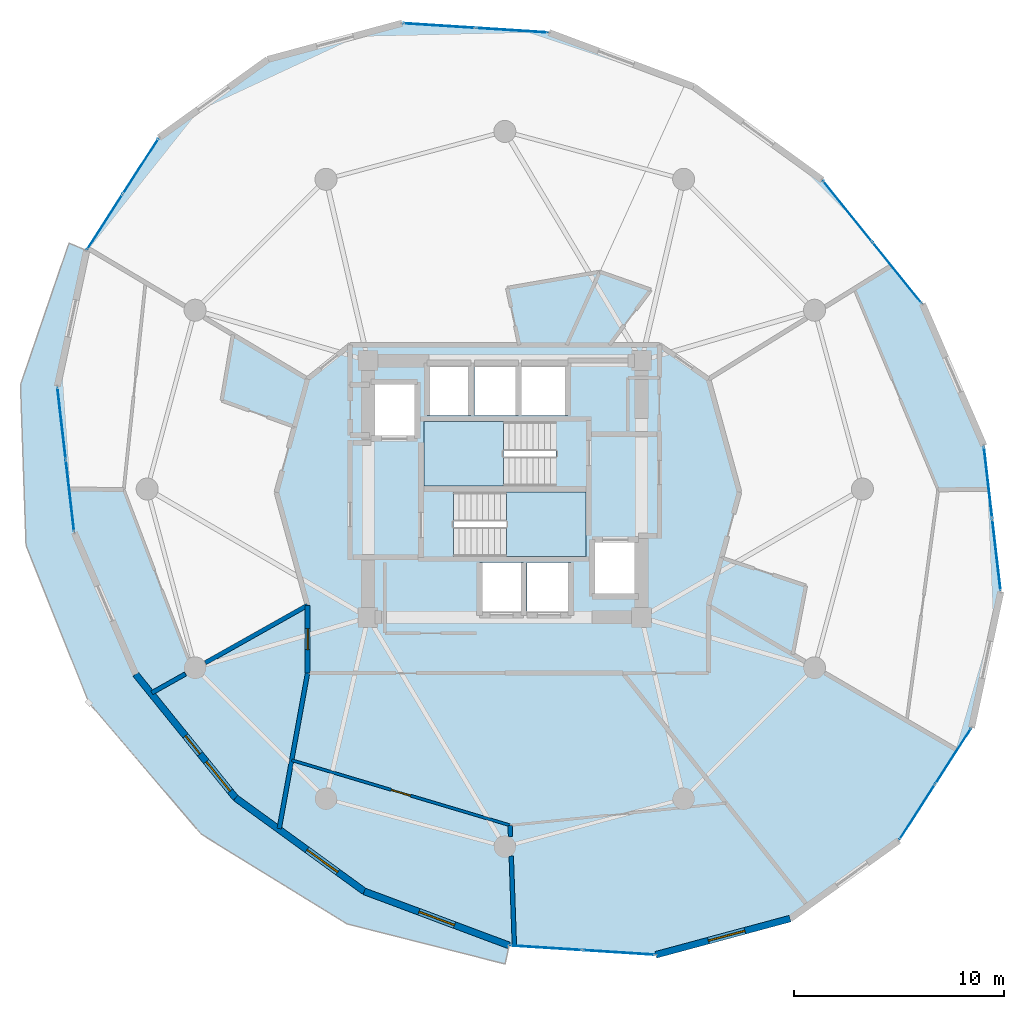
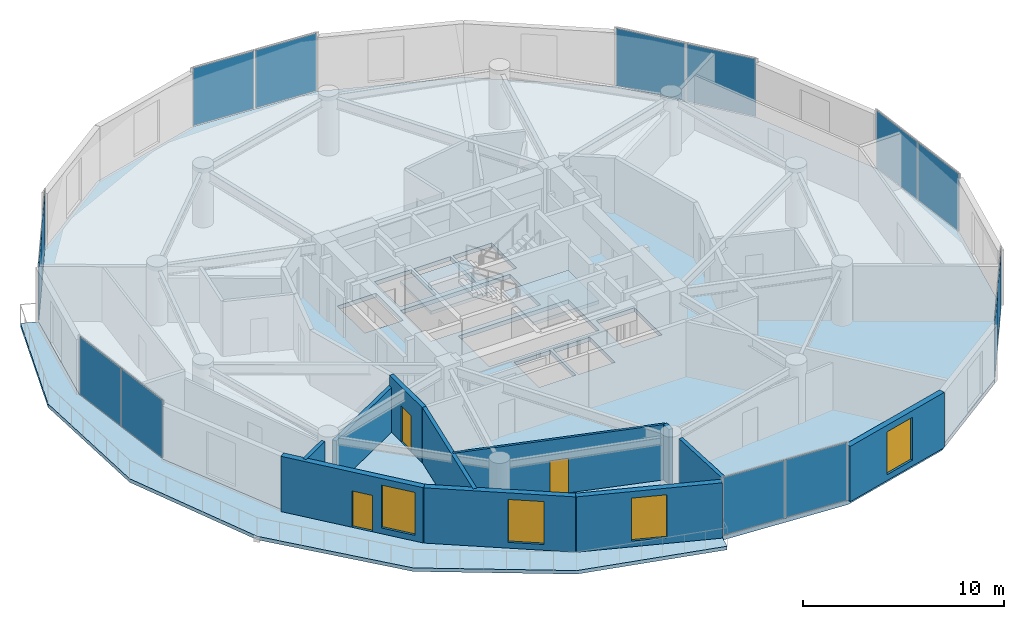
# One storey, part 16 of 21: 14 plates, 11 walls, 4 slabs, 4 windows, 3 doors, 7 openings, 9 elements without a shape of their own.
"""IFC4 building model written with IfcOpenShell, lengths in metres."""

from ifc_helpers import new_model, si_unit, direction, frame, frame_2d, origin, origin_2d, place, context, subcontext, project, spatial, polyline, rectangle, outline, extrude, source, transform, mapped, material, layer, layer_set, type_object, element, fill, aggregate, save


model = new_model("IFC4")

# Units and contexts
model_context = context("Model", 3, precision=1e-05, world=origin(), true_north=direction((0.0, 1.0)))
body_context = subcontext(model_context, "Body", "Model", "MODEL_VIEW")
ifc_project = project(units=[si_unit("LENGTHUNIT", "METRE"), si_unit("AREAUNIT", "SQUARE_METRE"), si_unit("VOLUMEUNIT", "CUBIC_METRE"), si_unit("PLANEANGLEUNIT", "RADIAN"), si_unit("MASSUNIT", "GRAM", prefix="KILO")], contexts=[model_context])

# Site, building, storey
site_placement = place(None, origin())
site = spatial("IfcSite", under=ifc_project, at=site_placement, CompositionType="ELEMENT")
building_placement = place(site_placement, origin())
building = spatial("IfcBuilding", under=site, at=building_placement, Name="Solvirekh Grand Hotel", CompositionType="ELEMENT")
storey_placement = place(building_placement, frame((0.0, 0.0, 142.199951171875)))
storey = spatial("IfcBuildingStorey", under=building, at=storey_placement, Name="L36", CompositionType="ELEMENT", Elevation=142.199951171875)

# Slab
ifc_material_1 = material(Name="Concrete C50/60", Category="concrete")
ifc_layer_1 = layer(ifc_material_1, 0.215087890625)
ifc_layer_set_1 = layer_set([ifc_layer_1], Name="Concrete C50/60")
slab_type_1 = type_object("IfcSlabType", Name="ExtCrescentBalc_215", PredefinedType="FLOOR", material=ifc_layer_set_1)
slab_1_placement = place(storey_placement, frame((0.0, 0.0, -0.21484375)))
element("IfcSlab", 1, at=slab_1_placement, inside=storey, type_object=slab_type_1, Name="L36 sweeping crescent balcony slab", PredefinedType="FLOOR", context=body_context, shape_type="SweptSolid", body=[
    extrude(outline(polyline([(-20.716064453125, 11.68505859375), (-23.02099609375, 4.955078125), (-22.756103515625, -2.68798828125), (-19.76708984375, -10.156005859375), (-14.427978515625, -16.404052734375), (-7.509033203125, -20.666015625), (0.012939453125, -22.573974609375), (0.205078125, -21.695068359375), (-6.677978515625, -19.125), (-12.7939453125, -14.68408203125), (-17.5458984375, -8.804931640625), (-20.467041015625, -2.06396484375), (-21.27197265625, 4.87890625), (-19.883056640625, 11.343994140625), (-20.716064453125, 11.68505859375)])), origin(), (0.0, 0.0, 1.0), 0.21484375),
])

# Stair, slab
ifc_material_2 = material(Name="Concrete C40/50", Category="concrete")
stair_type = type_object("IfcStairType", Name="Stair_Core_1450", PredefinedType="HALF_TURN_STAIR", material=ifc_material_2)
stair_1_placement = place(storey_placement, origin())
stair_1 = element("IfcStair", 2, at=stair_1_placement, inside=storey, type_object=stair_type, Name="L36 Enclosed exit stair ST-1", PredefinedType="HALF_TURN_STAIR")
ifc_layer_2 = layer(ifc_material_2, 0.199951171875)
ifc_layer_set_2 = layer_set([ifc_layer_2], Name="Concrete C40/50")
slab_type_2 = type_object("IfcSlabType", Name="Landing_Stair_200", PredefinedType="LANDING", material=ifc_layer_set_2)
slab_2_placement = place(storey_placement, frame((0.0, 0.0, 1.60009765625)))
slab_2 = element("IfcSlab", 3, at=slab_2_placement, type_object=slab_type_2, Name="ST-1 landing 1", PredefinedType="LANDING", context=body_context, shape_type="SweptSolid", body=[
    extrude(outline(polyline([(0.070068359375, -3.199951171875), (3.85009765625, -3.199951171875), (3.85009765625, -0.14990234375), (0.070068359375, -0.14990234375), (0.070068359375, -3.199951171875)])), origin(), (0.0, 0.0, 1.0), 0.199951171875),
])
aggregate(stair_1, [slab_2])

stair_2_placement = place(storey_placement, origin())
stair_2 = element("IfcStair", 4, at=stair_2_placement, inside=storey, type_object=stair_type, Name="L36 Enclosed exit stair ST-2", PredefinedType="HALF_TURN_STAIR")
slab_3_placement = place(storey_placement, frame((0.0, 0.0, 1.60009765625)))
slab_3 = element("IfcSlab", 5, at=slab_3_placement, type_object=slab_type_2, Name="ST-2 landing 1", PredefinedType="LANDING", context=body_context, shape_type="SweptSolid", body=[
    extrude(outline(polyline([(-0.070068359375, 3.199951171875), (-3.85009765625, 3.199951171875), (-3.85009765625, 0.14990234375), (-0.070068359375, 0.14990234375), (-0.070068359375, 3.199951171875)])), origin(), (0.0, 0.0, 1.0), 0.199951171875),
])
aggregate(stair_2, [slab_3])

# Slab
ifc_layer_3 = layer(ifc_material_1, 0.25)
ifc_layer_set_3 = layer_set([ifc_layer_3], Name="Concrete C50/60")
slab_type_3 = type_object("IfcSlabType", Name="Slab_GuestZ2_250", PredefinedType="FLOOR", material=ifc_layer_set_3)
slab_4_placement = place(storey_placement, frame((0.0, 0.0, -0.25)))
element("IfcSlab", 6, at=slab_4_placement, inside=storey, type_object=slab_type_3, Name="L36 structural floor slab", PredefinedType="FLOOR", context=body_context, shape_type="SweptSolid", body=[
    extrude(outline(polyline([(18.735107421875, -16.698974609375), (22.18310546875, -11.343994140625), (23.572021484375, -4.87890625), (22.76708984375, 2.06396484375), (19.845947265625, 8.804931640625), (15.093994140625, 14.68408203125), (8.97802734375, 19.125), (2.094970703125, 21.695068359375), (-4.8798828125, 22.14111328125), (-11.264892578125, 20.4189453125), (-16.43505859375, 16.698974609375), (-19.883056640625, 11.343994140625), (-21.27197265625, 4.87890625), (-20.467041015625, -2.06396484375), (-17.5458984375, -8.804931640625), (-12.7939453125, -14.68408203125), (-6.677978515625, -19.125), (0.205078125, -21.695068359375), (7.179931640625, -22.14111328125), (13.56494140625, -20.4189453125), (18.735107421875, -16.698974609375)]), holes=[polyline([(-2.444091796875, -0.14990234375), (3.85009765625, -0.14990234375), (3.85009765625, -3.199951171875), (-2.444091796875, -3.199951171875), (-2.444091796875, -0.14990234375)]), polyline([(2.444091796875, 0.14990234375), (-3.85009765625, 0.14990234375), (-3.85009765625, 3.199951171875), (2.444091796875, 3.199951171875), (2.444091796875, 0.14990234375)]), polyline([(-1.199951171875, -3.5), (0.89990234375, -3.5), (0.89990234375, -6.0), (-1.199951171875, -6.0), (-1.199951171875, -3.5)]), polyline([(1.050048828125, -3.5), (3.14990234375, -3.5), (3.14990234375, -6.0), (1.050048828125, -6.0), (1.050048828125, -3.5)]), polyline([(-3.699951171875, 6.0), (-1.60009765625, 6.0), (-1.60009765625, 3.5), (-3.699951171875, 3.5), (-3.699951171875, 6.0)]), polyline([(-1.449951171875, 6.0), (0.64990234375, 6.0), (0.64990234375, 3.5), (-1.449951171875, 3.5), (-1.449951171875, 6.0)]), polyline([(0.800048828125, 6.0), (3.0, 6.0), (3.0, 3.5), (0.800048828125, 3.5), (0.800048828125, 6.0)]), polyline([(-6.35009765625, 5.10009765625), (-4.14990234375, 5.10009765625), (-4.14990234375, 2.39990234375), (-6.35009765625, 2.39990234375), (-6.35009765625, 5.10009765625)]), polyline([(4.14990234375, -2.39990234375), (6.35009765625, -2.39990234375), (6.35009765625, -5.10009765625), (4.14990234375, -5.10009765625), (4.14990234375, -2.39990234375)])]), origin(), (0.0, 0.0, 1.0), 0.25),
])

# Curtain wall, plates
ifc_material_3 = material(Name="Anodized Bronze Aluminium 6063-T6", Category="aluminium")
ifc_layer_4 = layer(ifc_material_3, 0.175048828125)
ifc_layer_set_4 = layer_set([ifc_layer_4], Name="Anodized Bronze Aluminium 6063-T6")
curtain_wall_type = type_object("IfcCurtainWallType", Name="CW_Sys3_MidZoneFlushBronzeCW", PredefinedType="NOTDEFINED", material=ifc_layer_set_4)
curtain_wall_1_placement = place(storey_placement, origin())
curtain_wall_1 = element("IfcCurtainWall", 7, at=curtain_wall_1_placement, inside=storey, type_object=curtain_wall_type, Name="L36 unitised bronze-glass curtain wall CW-L36-C03", PredefinedType="NOTDEFINED")
ifc_material_4 = material(Name="Low-E Tinted Bronze Laminated Glass", Category="aluminium")
ifc_layer_5 = layer(ifc_material_4, 0.035888671875)
ifc_layer_set_5 = layer_set([ifc_layer_5], Name="Low-E Tinted Bronze Laminated Glass")
plate_type = type_object("IfcPlateType", Name="CWPanel_Mid_36", PredefinedType="CURTAIN_PANEL", material=ifc_layer_set_5)
shared_shape_1 = source(origin(), body_context, "Body", "SweptSolid", [
    extrude(rectangle(XDim=3.397216796875, YDim=0.035888671875, at=origin_2d()), origin(), (0.0, 0.0, 1.0), 3.489990234375),
])
plate_1_placement = place(storey_placement, frame((23.368896484375, -3.127197265625, 0.05517578125), z_axis=(0.0, 0.0, 1.0), x_axis=(-0.115172566124, 0.993345498813, 0.0)))
plate_1 = element("IfcPlate", 8, at=plate_1_placement, type_object=plate_type, Name="U03 panel 1.1", PredefinedType="CURTAIN_PANEL", context=body_context, shape_type="MappedRepresentation", body=[
    mapped(shared_shape_1, transform((0.0, 0.0, 0.0), x_axis=(1.0, 0.0, 0.0), y_axis=(0.0, 1.0, 0.0), z_axis=(0.0, 0.0, 1.0), scale=1.0)),
])
plate_2_placement = place(storey_placement, frame((22.97021484375, 0.31201171875, 0.05517578125), z_axis=(0.0, 0.0, 1.0), x_axis=(-0.115172566124, 0.993345498813, 0.0)))
plate_2 = element("IfcPlate", 9, at=plate_2_placement, type_object=plate_type, Name="U03 panel 2.1", PredefinedType="CURTAIN_PANEL", context=body_context, shape_type="MappedRepresentation", body=[
    mapped(shared_shape_1, transform((0.0, 0.0, 0.0), x_axis=(1.0, 0.0, 0.0), y_axis=(0.0, 1.0, 0.0), z_axis=(0.0, 0.0, 1.0), scale=1.0)),
])
aggregate(curtain_wall_1, [plate_1, plate_2])

curtain_wall_2_placement = place(storey_placement, origin())
curtain_wall_2 = element("IfcCurtainWall", 10, at=curtain_wall_2_placement, inside=storey, type_object=curtain_wall_type, Name="L36 unitised bronze-glass curtain wall CW-L36-C08", PredefinedType="NOTDEFINED")
plate_3_placement = place(storey_placement, frame((0.3349609375, 21.8076171875, 0.05517578125), z_axis=(0.0, 0.0, 1.0), x_axis=(-0.997961916259, 0.063812331854, 0.0)))
plate_3 = element("IfcPlate", 11, at=plate_3_placement, type_object=plate_type, Name="U03 panel 1.1", PredefinedType="CURTAIN_PANEL", context=body_context, shape_type="MappedRepresentation", body=[
    mapped(shared_shape_1, transform((0.0, 0.0, 0.0), x_axis=(1.0, 0.0, 0.0), y_axis=(0.0, 1.0, 0.0), z_axis=(0.0, 0.0, 1.0), scale=1.0)),
])
plate_4_placement = place(storey_placement, frame((-3.1201171875, 22.028564453125, 0.05517578125), z_axis=(0.0, 0.0, 1.0), x_axis=(-0.997961916259, 0.063812331854, 0.0)))
plate_4 = element("IfcPlate", 12, at=plate_4_placement, type_object=plate_type, Name="U03 panel 2.1", PredefinedType="CURTAIN_PANEL", context=body_context, shape_type="MappedRepresentation", body=[
    mapped(shared_shape_1, transform((0.0, 0.0, 0.0), x_axis=(1.0, 0.0, 0.0), y_axis=(0.0, 1.0, 0.0), z_axis=(0.0, 0.0, 1.0), scale=1.0)),
])
aggregate(curtain_wall_2, [plate_3, plate_4])

curtain_wall_3_placement = place(storey_placement, origin())
curtain_wall_3 = element("IfcCurtainWall", 13, at=curtain_wall_3_placement, inside=storey, type_object=curtain_wall_type, Name="L36 unitised bronze-glass curtain wall CW-L36-C13", PredefinedType="NOTDEFINED")
plate_5_placement = place(storey_placement, frame((-21.06884765625, 3.127197265625, 0.05517578125), z_axis=(0.0, 0.0, 1.0), x_axis=(0.115172566124, -0.993345498813, 0.0)))
plate_5 = element("IfcPlate", 14, at=plate_5_placement, type_object=plate_type, Name="U03 panel 1.1", PredefinedType="CURTAIN_PANEL", context=body_context, shape_type="MappedRepresentation", body=[
    mapped(shared_shape_1, transform((0.0, 0.0, 0.0), x_axis=(1.0, 0.0, 0.0), y_axis=(0.0, 1.0, 0.0), z_axis=(0.0, 0.0, 1.0), scale=1.0)),
])
plate_6_placement = place(storey_placement, frame((-20.670166015625, -0.31201171875, 0.05517578125), z_axis=(0.0, 0.0, 1.0), x_axis=(0.115172566124, -0.993345498813, 0.0)))
plate_6 = element("IfcPlate", 15, at=plate_6_placement, type_object=plate_type, Name="U03 panel 2.1", PredefinedType="CURTAIN_PANEL", context=body_context, shape_type="MappedRepresentation", body=[
    mapped(shared_shape_1, transform((0.0, 0.0, 0.0), x_axis=(1.0, 0.0, 0.0), y_axis=(0.0, 1.0, 0.0), z_axis=(0.0, 0.0, 1.0), scale=1.0)),
])
aggregate(curtain_wall_3, [plate_5, plate_6])

curtain_wall_4_placement = place(storey_placement, origin())
curtain_wall_4 = element("IfcCurtainWall", 16, at=curtain_wall_4_placement, inside=storey, type_object=curtain_wall_type, Name="L36 unitised bronze-glass curtain wall CW-L36-C18", PredefinedType="NOTDEFINED")
plate_7_placement = place(storey_placement, frame((1.965087890625, -21.8076171875, 0.05517578125), z_axis=(0.0, 0.0, 1.0), x_axis=(0.997961916259, -0.063812331854, 0.0)))
plate_7 = element("IfcPlate", 17, at=plate_7_placement, type_object=plate_type, Name="U03 panel 1.1", PredefinedType="CURTAIN_PANEL", context=body_context, shape_type="MappedRepresentation", body=[
    mapped(shared_shape_1, transform((0.0, 0.0, 0.0), x_axis=(1.0, 0.0, 0.0), y_axis=(0.0, 1.0, 0.0), z_axis=(0.0, 0.0, 1.0), scale=1.0)),
])
plate_8_placement = place(storey_placement, frame((5.419921875, -22.028564453125, 0.05517578125), z_axis=(0.0, 0.0, 1.0), x_axis=(0.997961916259, -0.063812331854, 0.0)))
plate_8 = element("IfcPlate", 18, at=plate_8_placement, type_object=plate_type, Name="U03 panel 2.1", PredefinedType="CURTAIN_PANEL", context=body_context, shape_type="MappedRepresentation", body=[
    mapped(shared_shape_1, transform((0.0, 0.0, 0.0), x_axis=(1.0, 0.0, 0.0), y_axis=(0.0, 1.0, 0.0), z_axis=(0.0, 0.0, 1.0), scale=1.0)),
])
aggregate(curtain_wall_4, [plate_7, plate_8])

curtain_wall_5_placement = place(storey_placement, origin())
curtain_wall_5 = element("IfcCurtainWall", 19, at=curtain_wall_5_placement, inside=storey, type_object=curtain_wall_type, Name="L36 unitised bronze-glass curtain wall CW-L36-C05", PredefinedType="NOTDEFINED")
shared_shape_2 = source(origin(), body_context, "Body", "SweptSolid", [
    extrude(rectangle(XDim=3.68212890625, YDim=0.035888671875, at=origin_2d()), origin(), (0.0, 0.0, 1.0), 3.489990234375),
])
plate_9_placement = place(storey_placement, frame((18.647705078125, 10.287353515625, 0.05517578125), z_axis=(0.0, 0.0, 1.0), x_axis=(-0.628623427752, 0.777709834116, 0.0)))
plate_9 = element("IfcPlate", 20, at=plate_9_placement, type_object=plate_type, Name="U03 panel 1.1", PredefinedType="CURTAIN_PANEL", context=body_context, shape_type="MappedRepresentation", body=[
    mapped(shared_shape_2, transform((0.0, 0.0, 0.0), x_axis=(1.0, 0.0, 0.0), y_axis=(0.0, 1.0, 0.0), z_axis=(0.0, 0.0, 1.0), scale=1.0)),
])
plate_10_placement = place(storey_placement, frame((16.292236328125, 13.20166015625, 0.05517578125), z_axis=(0.0, 0.0, 1.0), x_axis=(-0.628623427752, 0.777709834116, 0.0)))
plate_10 = element("IfcPlate", 21, at=plate_10_placement, type_object=plate_type, Name="U03 panel 2.1", PredefinedType="CURTAIN_PANEL", context=body_context, shape_type="MappedRepresentation", body=[
    mapped(shared_shape_2, transform((0.0, 0.0, 0.0), x_axis=(1.0, 0.0, 0.0), y_axis=(0.0, 1.0, 0.0), z_axis=(0.0, 0.0, 1.0), scale=1.0)),
])
aggregate(curtain_wall_5, [plate_9, plate_10])

curtain_wall_6_placement = place(storey_placement, origin())
curtain_wall_6 = element("IfcCurtainWall", 22, at=curtain_wall_6_placement, inside=storey, type_object=curtain_wall_type, Name="L36 unitised bronze-glass curtain wall CW-L36-C01", PredefinedType="NOTDEFINED")
shared_shape_3 = source(origin(), body_context, "Body", "SweptSolid", [
    extrude(rectangle(XDim=3.0869140625, YDim=0.035888671875, at=origin_2d()), origin(), (0.0, 0.0, 1.0), 3.489990234375),
])
plate_11_placement = place(storey_placement, frame((19.605712890625, -15.3466796875, 0.05517578125), z_axis=(0.0, 0.0, 1.0), x_axis=(0.541368481703, 0.840785446483, 0.0)))
plate_11 = element("IfcPlate", 23, at=plate_11_placement, type_object=plate_type, Name="U03 panel 1.1", PredefinedType="CURTAIN_PANEL", context=body_context, shape_type="MappedRepresentation", body=[
    mapped(shared_shape_3, transform((0.0, 0.0, 0.0), x_axis=(1.0, 0.0, 0.0), y_axis=(0.0, 1.0, 0.0), z_axis=(0.0, 0.0, 1.0), scale=1.0)),
])
plate_12_placement = place(storey_placement, frame((21.312255859375, -12.696533203125, 0.05517578125), z_axis=(0.0, 0.0, 1.0), x_axis=(0.541368481703, 0.840785446483, 0.0)))
plate_12 = element("IfcPlate", 24, at=plate_12_placement, type_object=plate_type, Name="U03 panel 2.1", PredefinedType="CURTAIN_PANEL", context=body_context, shape_type="MappedRepresentation", body=[
    mapped(shared_shape_3, transform((0.0, 0.0, 0.0), x_axis=(1.0, 0.0, 0.0), y_axis=(0.0, 1.0, 0.0), z_axis=(0.0, 0.0, 1.0), scale=1.0)),
])
aggregate(curtain_wall_6, [plate_11, plate_12])

curtain_wall_7_placement = place(storey_placement, origin())
curtain_wall_7 = element("IfcCurtainWall", 25, at=curtain_wall_7_placement, inside=storey, type_object=curtain_wall_type, Name="L36 unitised bronze-glass curtain wall CW-L36-C11", PredefinedType="NOTDEFINED")
plate_13_placement = place(storey_placement, frame((-17.305908203125, 15.3466796875, 0.05517578125), z_axis=(0.0, 0.0, 1.0), x_axis=(-0.541368481703, -0.840785446483, 0.0)))
plate_13 = element("IfcPlate", 26, at=plate_13_placement, type_object=plate_type, Name="U03 panel 1.1", PredefinedType="CURTAIN_PANEL", context=body_context, shape_type="MappedRepresentation", body=[
    mapped(shared_shape_3, transform((0.0, 0.0, 0.0), x_axis=(1.0, 0.0, 0.0), y_axis=(0.0, 1.0, 0.0), z_axis=(0.0, 0.0, 1.0), scale=1.0)),
])
plate_14_placement = place(storey_placement, frame((-19.01220703125, 12.696533203125, 0.05517578125), z_axis=(0.0, 0.0, 1.0), x_axis=(-0.541368481703, -0.840785446483, 0.0)))
plate_14 = element("IfcPlate", 27, at=plate_14_placement, type_object=plate_type, Name="U03 panel 2.1", PredefinedType="CURTAIN_PANEL", context=body_context, shape_type="MappedRepresentation", body=[
    mapped(shared_shape_3, transform((0.0, 0.0, 0.0), x_axis=(1.0, 0.0, 0.0), y_axis=(0.0, 1.0, 0.0), z_axis=(0.0, 0.0, 1.0), scale=1.0)),
])
aggregate(curtain_wall_7, [plate_13, plate_14])

# Wall, openings, door, window
ifc_material_5 = material(Name="Precast concrete C45/55", Category="concrete")
ifc_layer_6 = layer(ifc_material_5, 0.320068359375)
ifc_layer_set_6 = layer_set([ifc_layer_6], Name="Precast concrete C45/55")
wall_type_1 = type_object("IfcWallType", Name="ExtLobbyWall_RC320", PredefinedType="SOLIDWALL", material=ifc_layer_set_6)
wall_1_placement = place(storey_placement, frame((-12.7939453125, -14.68408203125, 0.0), z_axis=(0.0, 0.0, 1.0), x_axis=(-0.628609951101, 0.77772072711, 0.0)))
wall_1 = element("IfcWall", 28, at=wall_1_placement, inside=storey, type_object=wall_type_1, Name="L36 exterior structural wall chord 15", PredefinedType="SOLIDWALL", context=body_context, shape_type="SweptSolid", body=[
    extrude(rectangle(XDim=7.5595703125, YDim=0.320068359375, at=frame_2d((3.77978515625, 0.0))), origin(), (0.0, 0.0, 1.0), 3.35009765625),
])
opening_1_placement = place(wall_1_placement, frame((0.422119140625, 0.0, 0.35009765625)))
opening_1 = element("IfcOpeningElement", 29, at=opening_1_placement, cuts=wall_1, Name="Opening W02", PredefinedType="OPENING", context=body_context, shape_type="SweptSolid", body=[
    extrude(rectangle(XDim=1.800048828125, YDim=2.60009765625, at=frame_2d((0.89990234375, 1.300048828125))), frame((0.0, 0.169921875, 0.0), z_axis=(0.0, -1.0, 0.0), x_axis=(1.0, 0.0, 0.0)), (0.0, 0.0, 1.0), 0.340087890625),
])
opening_2_placement = place(wall_1_placement, frame((2.695068359375, 0.0, 0.0)))
opening_2 = element("IfcOpeningElement", 30, at=opening_2_placement, cuts=wall_1, Name="Opening D03", PredefinedType="OPENING", context=body_context, shape_type="SweptSolid", body=[
    extrude(rectangle(XDim=1.10009765625, YDim=2.199951171875, at=frame_2d((0.550048828125, 1.10009765625))), frame((0.0, 0.169921875, 0.0), z_axis=(0.0, -1.0, 0.0), x_axis=(1.0, 0.0, 0.0)), (0.0, 0.0, 1.0), 0.340087890625),
])
door_type_1 = type_object("IfcDoorType", Name="Door_ExtBalcony_1100X2200", OperationType="NOTDEFINED", PredefinedType="DOOR", material=ifc_material_3)
door_1_placement = place(opening_2_placement, origin())
door_1 = element("IfcDoor", 31, at=door_1_placement, inside=storey, type_object=door_type_1, Name="L36 Crescent balcony glazed door (15)", OperationType="SINGLE_SWING_LEFT", OverallHeight=2.199951171875, OverallWidth=1.10009765625, PredefinedType="DOOR", context=body_context, shape_type="SweptSolid", body=[
    extrude(rectangle(XDim=1.10009765625, YDim=2.199951171875, at=frame_2d((0.550048828125, 1.10009765625))), frame((0.0, 0.02490234375, 0.0), z_axis=(0.0, -1.0, 0.0), x_axis=(1.0, 0.0, 0.0)), (0.0, 0.0, 1.0), 0.050048828125),
])
fill(opening_2, door_1)
window_type = type_object("IfcWindowType", Name="Win_LobbyExt_1800X2600", PartitioningType="SINGLE_PANEL", PredefinedType="WINDOW", material=ifc_material_4)
window_1_placement = place(opening_1_placement, origin())
window_1 = element("IfcWindow", 32, at=window_1_placement, inside=storey, type_object=window_type, Name="L36 exterior side window 15", OverallHeight=2.60009765625, OverallWidth=1.800048828125, PartitioningType="SINGLE_PANEL", PredefinedType="WINDOW", context=body_context, shape_type="SweptSolid", body=[
    extrude(rectangle(XDim=1.800048828125, YDim=2.60009765625, at=frame_2d((0.89990234375, 1.300048828125))), frame((0.0, 0.030029296875, 0.0), z_axis=(0.0, -1.0, 0.0), x_axis=(1.0, 0.0, 0.0)), (0.0, 0.0, 1.0), 0.06005859375),
])
fill(opening_1, window_1)

# Wall, opening, window
wall_2_placement = place(storey_placement, frame((-6.677978515625, -19.125, 0.0), z_axis=(0.0, 0.0, 1.0), x_axis=(-0.809180040303, 0.587560773347, 0.0)))
wall_2 = element("IfcWall", 33, at=wall_2_placement, inside=storey, type_object=wall_type_1, Name="L36 exterior structural wall chord 16", PredefinedType="SOLIDWALL", context=body_context, shape_type="SweptSolid", body=[
    extrude(rectangle(XDim=7.55810546875, YDim=0.320068359375, at=frame_2d((3.779052734375, 0.0))), origin(), (0.0, 0.0, 1.0), 3.35009765625),
])
opening_3_placement = place(wall_2_placement, frame((1.56396484375, 0.0, 0.35009765625)))
opening_3 = element("IfcOpeningElement", 34, at=opening_3_placement, cuts=wall_2, Name="Opening W02", PredefinedType="OPENING", context=body_context, shape_type="SweptSolid", body=[
    extrude(rectangle(XDim=1.800048828125, YDim=2.60009765625, at=frame_2d((0.89990234375, 1.300048828125))), frame((0.0, 0.169921875, 0.0), z_axis=(0.0, -1.0, 0.0), x_axis=(1.0, 0.0, 0.0)), (0.0, 0.0, 1.0), 0.340087890625),
])
window_2_placement = place(opening_3_placement, origin())
window_2 = element("IfcWindow", 35, at=window_2_placement, inside=storey, type_object=window_type, Name="L36 panoramic bronze-framed window 16", OverallHeight=2.60009765625, OverallWidth=1.800048828125, PartitioningType="SINGLE_PANEL", PredefinedType="WINDOW", context=body_context, shape_type="SweptSolid", body=[
    extrude(rectangle(XDim=1.800048828125, YDim=2.60009765625, at=frame_2d((0.89990234375, 1.300048828125))), frame((0.0, 0.030029296875, 0.0), z_axis=(0.0, -1.0, 0.0), x_axis=(1.0, 0.0, 0.0)), (0.0, 0.0, 1.0), 0.06005859375),
])
fill(opening_3, window_2)

wall_3_placement = place(storey_placement, frame((0.205078125, -21.695068359375, 0.0), z_axis=(0.0, 0.0, 1.0), x_axis=(-0.936823947669, 0.349801216512, 0.0)))
wall_3 = element("IfcWall", 36, at=wall_3_placement, inside=storey, type_object=wall_type_1, Name="L36 exterior structural wall chord 17", PredefinedType="SOLIDWALL", context=body_context, shape_type="SweptSolid", body=[
    extrude(rectangle(XDim=7.34716796875, YDim=0.320068359375, at=frame_2d((3.673583984375, 0.0))), origin(), (0.0, 0.0, 1.0), 3.35009765625),
])
opening_4_placement = place(wall_3_placement, frame((2.77392578125, 0.0, 0.35009765625)))
opening_4 = element("IfcOpeningElement", 37, at=opening_4_placement, cuts=wall_3, Name="Opening W02", PredefinedType="OPENING", context=body_context, shape_type="SweptSolid", body=[
    extrude(rectangle(XDim=1.800048828125, YDim=2.60009765625, at=frame_2d((0.89990234375, 1.300048828125))), frame((0.0, 0.169921875, 0.0), z_axis=(0.0, -1.0, 0.0), x_axis=(1.0, 0.0, 0.0)), (0.0, 0.0, 1.0), 0.340087890625),
])
window_3_placement = place(opening_4_placement, origin())
window_3 = element("IfcWindow", 38, at=window_3_placement, inside=storey, type_object=window_type, Name="L36 panoramic bronze-framed window 17", OverallHeight=2.60009765625, OverallWidth=1.800048828125, PartitioningType="SINGLE_PANEL", PredefinedType="WINDOW", context=body_context, shape_type="SweptSolid", body=[
    extrude(rectangle(XDim=1.800048828125, YDim=2.60009765625, at=frame_2d((0.89990234375, 1.300048828125))), frame((0.0, 0.030029296875, 0.0), z_axis=(0.0, -1.0, 0.0), x_axis=(1.0, 0.0, 0.0)), (0.0, 0.0, 1.0), 0.06005859375),
])
fill(opening_4, window_3)

wall_4_placement = place(storey_placement, frame((13.56494140625, -20.4189453125, 0.0), z_axis=(0.0, 0.0, 1.0), x_axis=(-0.965496962539, -0.260414314753, 0.0)))
wall_4 = element("IfcWall", 39, at=wall_4_placement, inside=storey, type_object=wall_type_1, Name="L36 exterior structural wall chord 19", PredefinedType="SOLIDWALL", context=body_context, shape_type="SweptSolid", body=[
    extrude(rectangle(XDim=6.61328125, YDim=0.320068359375, at=frame_2d((3.306640625, 0.0))), origin(), (0.0, 0.0, 1.0), 3.35009765625),
])
opening_5_placement = place(wall_4_placement, frame((2.22900390625, 0.0, 0.35009765625)))
opening_5 = element("IfcOpeningElement", 40, at=opening_5_placement, cuts=wall_4, Name="Opening W02", PredefinedType="OPENING", context=body_context, shape_type="SweptSolid", body=[
    extrude(rectangle(XDim=1.800048828125, YDim=2.60009765625, at=frame_2d((0.89990234375, 1.300048828125))), frame((0.0, 0.169921875, 0.0), z_axis=(0.0, -1.0, 0.0), x_axis=(1.0, 0.0, 0.0)), (0.0, 0.0, 1.0), 0.340087890625),
])
window_4_placement = place(opening_5_placement, origin())
window_4 = element("IfcWindow", 41, at=window_4_placement, inside=storey, type_object=window_type, Name="L36 panoramic bronze-framed window 19", OverallHeight=2.60009765625, OverallWidth=1.800048828125, PartitioningType="SINGLE_PANEL", PredefinedType="WINDOW", context=body_context, shape_type="SweptSolid", body=[
    extrude(rectangle(XDim=1.800048828125, YDim=2.60009765625, at=frame_2d((0.89990234375, 1.300048828125))), frame((0.0, 0.030029296875, 0.0), z_axis=(0.0, -1.0, 0.0), x_axis=(1.0, 0.0, 0.0)), (0.0, 0.0, 1.0), 0.06005859375),
])
fill(opening_5, window_4)

# Wall, opening, door
ifc_material_6 = material(Name="Acoustic Gypsum Partition Assembly")
ifc_layer_7 = layer(ifc_material_6, 0.239990234375)
ifc_layer_set_7 = layer_set([ifc_layer_7], Name="Acoustic Gypsum Partition Assembly")
wall_type_2 = type_object("IfcWallType", Name="Part_Corridor_240", PredefinedType="PARTITIONING", material=ifc_layer_set_7)
wall_5_placement = place(storey_placement, frame((-9.3759765625, -5.52490234375, 0.0), z_axis=(0.0, 0.0, 1.0), x_axis=(0.0, -1.0, 0.0)))
wall_5 = element("IfcWall", 42, at=wall_5_placement, inside=storey, type_object=wall_type_2, Name="L36 L36 South-West Study Lounge entrance wall", PredefinedType="PARTITIONING", context=body_context, shape_type="SweptSolid", body=[
    extrude(rectangle(XDim=3.22509765625, YDim=0.239990234375, at=frame_2d((1.612548828125, 0.0))), origin(), (0.0, 0.0, 1.0), 3.35009765625),
])
opening_6_placement = place(wall_5_placement, frame((1.112060546875, 0.0, 0.0)))
opening_6 = element("IfcOpeningElement", 43, at=opening_6_placement, cuts=wall_5, Name="Opening D07", PredefinedType="OPENING", context=body_context, shape_type="SweptSolid", body=[
    extrude(rectangle(XDim=1.0, YDim=2.199951171875, at=frame_2d((0.5, 1.10009765625))), frame((0.0, 0.1298828125, 0.0), z_axis=(0.0, -1.0, 0.0), x_axis=(1.0, 0.0, 0.0)), (0.0, 0.0, 1.0), 0.260009765625),
])
ifc_material_7 = material(Name="Fire-Rated Steel Door Assembly", Category="steel")
door_type_2 = type_object("IfcDoorType", Name="Door_GuestEntry_1000X2200", OperationType="NOTDEFINED", PredefinedType="DOOR", material=ifc_material_7)
door_2_placement = place(opening_6_placement, origin())
door_2 = element("IfcDoor", 44, at=door_2_placement, inside=storey, type_object=door_type_2, Name="L36 L36 South-West Study Lounge entrance door", OperationType="SINGLE_SWING_RIGHT", OverallHeight=2.199951171875, OverallWidth=1.0, PredefinedType="DOOR", context=body_context, shape_type="SweptSolid", body=[
    extrude(rectangle(XDim=1.0, YDim=2.199951171875, at=frame_2d((0.5, 1.10009765625))), frame((0.0, 0.02490234375, 0.0), z_axis=(0.0, -1.0, 0.0), x_axis=(1.0, 0.0, 0.0)), (0.0, 0.0, 1.0), 0.050048828125),
])
fill(opening_6, door_2)

ifc_layer_8 = layer(ifc_material_6, 0.135009765625)
ifc_layer_set_8 = layer_set([ifc_layer_8], Name="Acoustic Gypsum Partition Assembly")
wall_type_3 = type_object("IfcWallType", Name="Part_RoomInt_135", PredefinedType="PARTITIONING", material=ifc_layer_set_8)
wall_6_placement = place(storey_placement, frame((-10.1298828125, -12.887939453125, 0.0), z_axis=(0.0, 0.0, 1.0), x_axis=(0.958256793562, -0.28590893234, 0.0)))
wall_6 = element("IfcWall", 45, at=wall_6_placement, inside=storey, type_object=wall_type_3, Name="L36 L36 South Horizon Conservatory bedroom screen wall", PredefinedType="PARTITIONING", context=body_context, shape_type="SweptSolid", body=[
    extrude(rectangle(XDim=10.836181640625, YDim=0.135009765625, at=frame_2d((5.41796875, 0.0))), origin(), (0.0, 0.0, 1.0), 3.35009765625),
])
opening_7_placement = place(wall_6_placement, frame((4.943115234375, 0.0, 0.0)))
opening_7 = element("IfcOpeningElement", 46, at=opening_7_placement, cuts=wall_6, Name="Opening D10", PredefinedType="OPENING", context=body_context, shape_type="SweptSolid", body=[
    extrude(rectangle(XDim=0.949951171875, YDim=2.10009765625, at=frame_2d((0.47509765625, 1.050048828125))), frame((0.0, 0.07763671875, 0.0), z_axis=(0.0, -1.0, 0.0), x_axis=(1.0, 0.0, 0.0)), (0.0, 0.0, 1.0), 0.155029296875),
])
door_type_3 = type_object("IfcDoorType", Name="Door_RoomInt_950X2100", OperationType="NOTDEFINED", PredefinedType="DOOR", material=ifc_material_3)
door_3_placement = place(opening_7_placement, origin())
door_3 = element("IfcDoor", 47, at=door_3_placement, inside=storey, type_object=door_type_3, Name="L36 L36 South Horizon Conservatory master bedroom door", OperationType="SINGLE_SWING_LEFT", OverallHeight=2.10009765625, OverallWidth=0.949951171875, PredefinedType="DOOR", context=body_context, shape_type="SweptSolid", body=[
    extrude(rectangle(XDim=0.949951171875, YDim=2.10009765625, at=frame_2d((0.47509765625, 1.050048828125))), frame((0.0, 0.02490234375, 0.0), z_axis=(0.0, -1.0, 0.0), x_axis=(1.0, 0.0, 0.0)), (0.0, 0.0, 1.0), 0.050048828125),
])
fill(opening_7, door_3)

# Walls
ifc_layer_9 = layer(ifc_material_6, 0.2099609375)
ifc_layer_set_9 = layer_set([ifc_layer_9], Name="Acoustic Gypsum Partition Assembly")
wall_type_4 = type_object("IfcWallType", Name="Part_SuiteDemise_210", PredefinedType="PARTITIONING", material=ifc_layer_set_9)
wall_7_placement = place(storey_placement, frame((-9.3759765625, -5.52490234375, 0.0), z_axis=(0.0, 0.0, 1.0), x_axis=(-0.87160595107, -0.49020716647, 0.0)))
element("IfcWall", 48, at=wall_7_placement, inside=storey, type_object=wall_type_4, Name="L36 suite radial wall 8 (A)", PredefinedType="PARTITIONING", context=body_context, shape_type="SweptSolid", body=[
    extrude(rectangle(XDim=5.573486328125, YDim=0.2099609375, at=frame_2d((2.78662109375, 0.0))), origin(), (0.0, 0.0, 1.0), 2.718017578125),
])
wall_8_placement = place(storey_placement, frame((-15.18310546875, -8.7900390625, 0.0), z_axis=(0.0, 0.0, 1.0), x_axis=(-0.871550642062, -0.490305494892, 0.0)))
element("IfcWall", 49, at=wall_8_placement, inside=storey, type_object=wall_type_4, Name="L36 suite radial wall 8 (B)", PredefinedType="PARTITIONING", context=body_context, shape_type="SweptSolid", body=[
    extrude(rectangle(XDim=1.83349609375, YDim=0.2099609375, at=frame_2d((0.916748046875, 0.0))), origin(), (0.0, 0.0, 1.0), 3.35009765625),
])
wall_9_placement = place(storey_placement, frame((-9.3759765625, -8.75, 0.0), z_axis=(0.0, 0.0, 1.0), x_axis=(-0.17933451975, -0.983788153022, 0.0)))
element("IfcWall", 50, at=wall_9_placement, inside=storey, type_object=wall_type_4, Name="L36 L36 Royal Library Lounge dividing partition 2", PredefinedType="PARTITIONING", context=body_context, shape_type="SweptSolid", body=[
    extrude(rectangle(XDim=7.5107421875, YDim=0.2099609375, at=frame_2d((3.75537109375, 0.0))), origin(), (0.0, 0.0, 1.0), 3.35009765625),
])
wall_10_placement = place(storey_placement, frame((0.25390625, -15.986083984375, 0.0), z_axis=(0.0, 0.0, 1.0), x_axis=(0.035113468423, -0.999383332028, 0.0)))
element("IfcWall", 51, at=wall_10_placement, inside=storey, type_object=wall_type_4, Name="L36 L36 South Horizon Conservatory dividing partition 1 (A)", PredefinedType="PARTITIONING", context=body_context, shape_type="SweptSolid", body=[
    extrude(rectangle(XDim=0.542236328125, YDim=0.2099609375, at=frame_2d((0.27099609375, 0.0))), origin(), (0.0, 0.0, 1.0), 3.35009765625),
])
wall_11_placement = place(storey_placement, frame((0.305908203125, -17.450927734375, 0.0), z_axis=(0.0, 0.0, 1.0), x_axis=(0.035095520117, -0.999383962483, 0.0)))
element("IfcWall", 52, at=wall_11_placement, inside=storey, type_object=wall_type_4, Name="L36 L36 South Horizon Conservatory dividing partition 1 (B)", PredefinedType="PARTITIONING", context=body_context, shape_type="SweptSolid", body=[
    extrude(rectangle(XDim=4.22265625, YDim=0.2099609375, at=frame_2d((2.111328125, 0.0))), origin(), (0.0, 0.0, 1.0), 3.35009765625),
])

save(model, "model.ifc")
